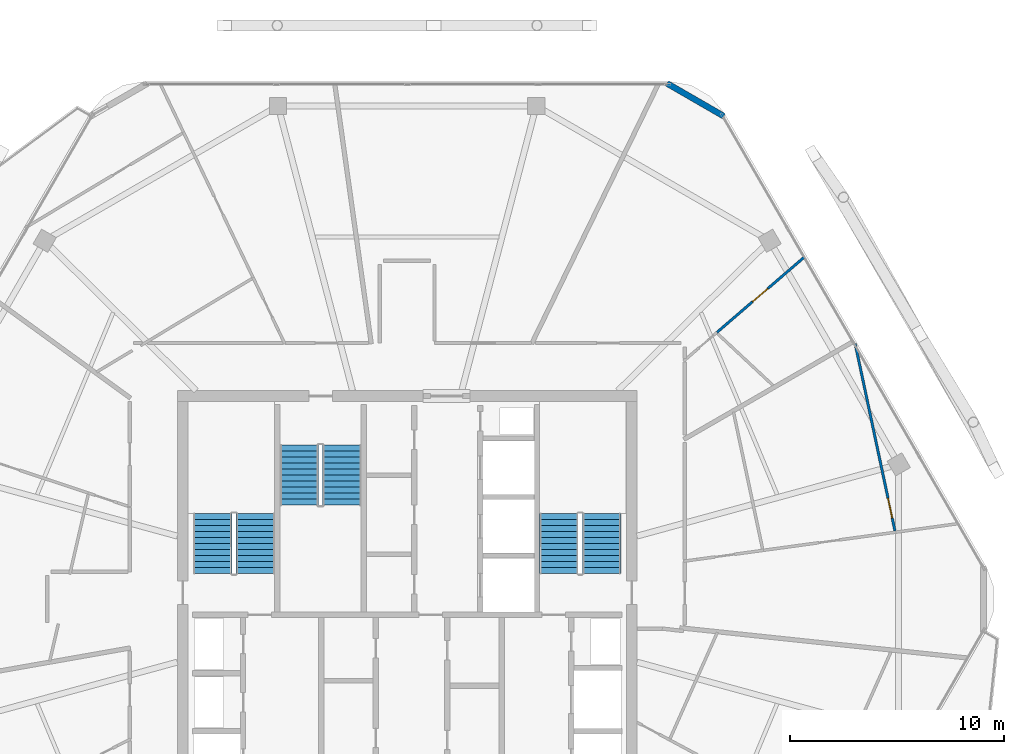
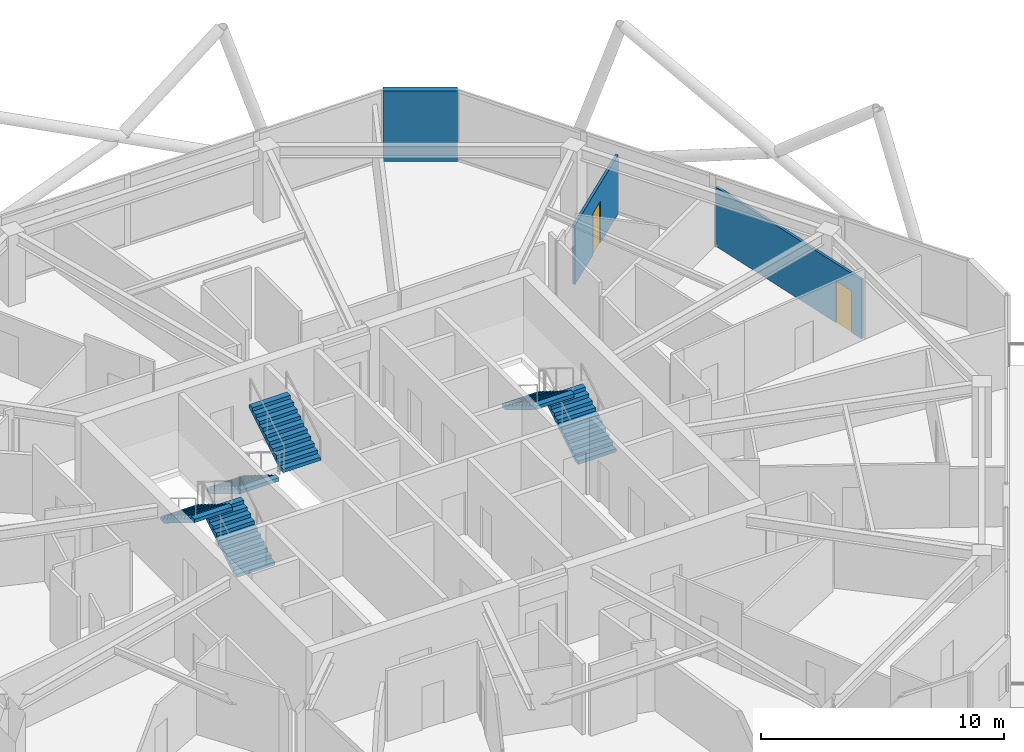
# One storey, part 20 of 23: 6 stair flights, 3 walls, 2 doors, 2 openings, 3 elements without a shape of their own.
"""IFC4 building model written with IfcOpenShell, lengths in metres."""

from ifc_helpers import new_model, si_unit, direction, frame, frame_2d, origin, place, context, subcontext, project, spatial, polyline, rectangle, outline, extrude, material, layer, layer_set, type_object, element, fill, aggregate, save


model = new_model("IFC4")

# Units and contexts
model_context = context("Model", 3, precision=1e-05, world=origin(), true_north=direction((0.0, 1.0)))
body_context = subcontext(model_context, "Body", "Model", "MODEL_VIEW")
ifc_project = project(units=[si_unit("LENGTHUNIT", "METRE"), si_unit("AREAUNIT", "SQUARE_METRE"), si_unit("VOLUMEUNIT", "CUBIC_METRE"), si_unit("PLANEANGLEUNIT", "RADIAN"), si_unit("MASSUNIT", "GRAM", prefix="KILO")], contexts=[model_context])

# Site, building, storey
site_placement = place(None, origin())
site = spatial("IfcSite", under=ifc_project, at=site_placement, CompositionType="ELEMENT")
building_placement = place(site_placement, origin())
building = spatial("IfcBuilding", under=site, at=building_placement, Name="Zuhravey Tower", CompositionType="ELEMENT")
storey_placement = place(building_placement, frame((0.0, 0.0, 315.800048828125)))
storey = spatial("IfcBuildingStorey", under=building, at=storey_placement, Name="L80", CompositionType="ELEMENT", Elevation=315.800048828125)

# Wall
ifc_material_1 = material(Name="Precast concrete C40/50", Category="concrete")
ifc_layer_1 = layer(ifc_material_1, 0.280029296875)
ifc_layer_set_1 = layer_set([ifc_layer_1], Name="Precast concrete C40/50")
wall_type_1 = type_object("IfcWallType", Name="Crown Architectural Wall 280", PredefinedType="SOLIDWALL", material=ifc_layer_set_1)
wall_1_placement = place(storey_placement, frame((48.156982421875, 56.12158203125, 0.0), z_axis=(0.0, 0.0, 1.0), x_axis=(0.866023752521, -0.50000286006, 0.0)))
element("IfcWall", 1, at=wall_1_placement, inside=storey, type_object=wall_type_1, Name="L80 Rounded Corner Closure Wall EW28-10", PredefinedType="SOLIDWALL", context=body_context, shape_type="SweptSolid", body=[
    extrude(rectangle(XDim=3.06494140625, YDim=0.280029296875, at=frame_2d((1.532470703125, 0.0))), origin(), (0.0, 0.0, 1.0), 3.550048828125),
])

# Wall, opening, door
ifc_material_2 = material(Name="Gypsum metal-stud partition")
ifc_layer_2 = layer(ifc_material_2, 0.1201171875)
ifc_layer_set_2 = layer_set([ifc_layer_2], Name="Gypsum metal-stud partition")
wall_type_2 = type_object("IfcWallType", Name="Unit Internal Partition 120", PredefinedType="PARTITIONING", material=ifc_layer_set_2)
wall_2_placement = place(storey_placement, frame((58.816650390625, 35.194091796875, 0.0), z_axis=(0.0, 0.0, 1.0), x_axis=(-0.20790706988, 0.978148582933, 0.0)))
wall_2 = element("IfcWall", 2, at=wall_2_placement, inside=storey, type_object=wall_type_2, Name="L80 IW12 Partition 046", PredefinedType="PARTITIONING", context=body_context, shape_type="SweptSolid", body=[
    extrude(rectangle(XDim=8.944580078125, YDim=0.1201171875, at=frame_2d((4.47216796875, 0.0))), origin(), (0.0, 0.0, 1.0), 2.969970703125),
])
opening_1_placement = place(wall_2_placement, frame((0.613037109375, 0.0, 0.0)))
opening_1 = element("IfcOpeningElement", 3, at=opening_1_placement, cuts=wall_2, Name="Opening IND1", PredefinedType="OPENING", context=body_context, shape_type="SweptSolid", body=[
    extrude(rectangle(XDim=0.949951171875, YDim=2.10009765625, at=frame_2d((0.47509765625, 1.050048828125))), frame((0.0, 0.072021484375, 0.0), z_axis=(0.0, -1.0, 0.0), x_axis=(1.0, 0.0, 0.0)), (0.0, 0.0, 1.0), 0.14404296875),
])
ifc_material_3 = material(Name="Painted engineered timber leaf", Category="wood")
door_type = type_object("IfcDoorType", Name="Internal Room & Bedroom Door 950x2100", OperationType="NOTDEFINED", PredefinedType="DOOR", material=ifc_material_3)
door_1_placement = place(opening_1_placement, frame((0.949951171875, 0.0, 0.0), z_axis=(0.0, 0.0, 1.0), x_axis=(-1.0, 0.0, 0.0)))
door_1 = element("IfcDoor", 4, at=door_1_placement, inside=storey, type_object=door_type, Name="Apartment L80-07 Bedroom 1 Door", OperationType="SINGLE_SWING_LEFT", OverallHeight=2.10009765625, OverallWidth=0.949951171875, PredefinedType="DOOR", context=body_context, shape_type="SweptSolid", body=[
    extrude(rectangle(XDim=0.949951171875, YDim=2.10009765625, at=frame_2d((0.47509765625, 1.050048828125))), frame((0.0, 0.02490234375, 0.0), z_axis=(0.0, -1.0, 0.0), x_axis=(1.0, 0.0, 0.0)), (0.0, 0.0, 1.0), 0.050048828125),
])
fill(opening_1, door_1)

wall_3_placement = place(storey_placement, frame((50.490234375, 44.476806640625, 0.0), z_axis=(0.0, 0.0, 1.0), x_axis=(0.757798689284, 0.65248842635, 0.0)))
wall_3 = element("IfcWall", 5, at=wall_3_placement, inside=storey, type_object=wall_type_2, Name="L80 IW12 Partition 049", PredefinedType="PARTITIONING", context=body_context, shape_type="SweptSolid", body=[
    extrude(rectangle(XDim=5.385498046875, YDim=0.1201171875, at=frame_2d((2.69287109375, 0.0))), origin(), (0.0, 0.0, 1.0), 2.969970703125),
])
opening_2_placement = place(wall_3_placement, frame((2.192626953125, 0.0, 0.0)))
opening_2 = element("IfcOpeningElement", 6, at=opening_2_placement, cuts=wall_3, Name="Opening IND1", PredefinedType="OPENING", context=body_context, shape_type="SweptSolid", body=[
    extrude(rectangle(XDim=0.949951171875, YDim=2.10009765625, at=frame_2d((0.47509765625, 1.050048828125))), frame((0.0, 0.072021484375, 0.0), z_axis=(0.0, -1.0, 0.0), x_axis=(1.0, 0.0, 0.0)), (0.0, 0.0, 1.0), 0.14404296875),
])
door_2_placement = place(opening_2_placement, frame((0.949951171875, 0.0, 0.0), z_axis=(0.0, 0.0, 1.0), x_axis=(-1.0, 0.0, 0.0)))
door_2 = element("IfcDoor", 7, at=door_2_placement, inside=storey, type_object=door_type, Name="Apartment L80-08 Bedroom 1 Door", OperationType="SINGLE_SWING_RIGHT", OverallHeight=2.10009765625, OverallWidth=0.949951171875, PredefinedType="DOOR", context=body_context, shape_type="SweptSolid", body=[
    extrude(rectangle(XDim=0.949951171875, YDim=2.10009765625, at=frame_2d((0.47509765625, 1.050048828125))), frame((0.0, 0.02490234375, 0.0), z_axis=(0.0, -1.0, 0.0), x_axis=(1.0, 0.0, 0.0)), (0.0, 0.0, 1.0), 0.050048828125),
])
fill(opening_2, door_2)

# Stair, stair flights
ifc_material_4 = material(Name="Concrete C40/50", Category="concrete")
stair_type = type_object("IfcStairType", Name="Housing Storey Stair Assembly 3800", PredefinedType="HALF_TURN_STAIR", material=ifc_material_4)
stair_1_placement = place(storey_placement, origin())
stair_1 = element("IfcStair", 8, at=stair_1_placement, inside=storey, type_object=stair_type, Name="L80 Core Exit Stair ST1", PredefinedType="HALF_TURN_STAIR")
stair_flight_type = type_object("IfcStairFlightType", Name="Housing Storey Stair Flight 3800", PredefinedType="STRAIGHT", material=ifc_material_4)
stair_flight_1_placement = place(storey_placement, frame((28.89990234375, 33.199951171875, 0.0), z_axis=(0.0, 0.0, 1.0), x_axis=(0.0, 1.0, 0.0)))
stair_flight_1 = element("IfcStairFlight", 9, at=stair_flight_1_placement, type_object=stair_flight_type, Name="ST1 flight 1", NumberOfRisers=11, NumberOfTreads=10, PredefinedType="STRAIGHT", RiserHeight=0.172727273, TreadLength=0.28, context=body_context, shape_type="SweptSolid", body=[
    extrude(outline(polyline([(0.0, 0.0), (0.0, 0.172607421875), (0.280029296875, 0.172607421875), (0.280029296875, 0.345458984375), (0.56005859375, 0.345458984375), (0.56005859375, 0.51806640625), (0.840087890625, 0.51806640625), (0.840087890625, 0.69091796875), (1.1201171875, 0.69091796875), (1.1201171875, 0.863525390625), (1.39990234375, 0.863525390625), (1.39990234375, 1.036376953125), (1.679931640625, 1.036376953125), (1.679931640625, 1.208984375), (1.9599609375, 1.208984375), (1.9599609375, 1.3818359375), (2.239990234375, 1.3818359375), (2.239990234375, 1.554443359375), (2.52001953125, 1.554443359375), (2.52001953125, 1.727294921875), (2.800048828125, 1.727294921875), (2.800048828125, 1.89990234375), (2.800048828125, 1.551025390625), (0.285400390625, 0.0), (0.0, 0.0)])), frame((0.0, 0.89990234375, 0.0), z_axis=(0.0, -1.0, 0.0), x_axis=(1.0, 0.0, 0.0)), (0.0, 0.0, 1.0), 1.800048828125),
])
stair_flight_2_placement = place(storey_placement, frame((26.89990234375, 36.0, 1.89990234375), z_axis=(0.0, 0.0, 1.0), x_axis=(0.0, -1.0, 0.0)))
stair_flight_2 = element("IfcStairFlight", 10, at=stair_flight_2_placement, type_object=stair_flight_type, Name="ST1 flight 2", NumberOfRisers=11, NumberOfTreads=10, PredefinedType="STRAIGHT", RiserHeight=0.172727273, TreadLength=0.28, context=body_context, shape_type="SweptSolid", body=[
    extrude(outline(polyline([(0.0, 0.0), (0.0, 0.172607421875), (0.280029296875, 0.172607421875), (0.280029296875, 0.345458984375), (0.56005859375, 0.345458984375), (0.56005859375, 0.51806640625), (0.840087890625, 0.51806640625), (0.840087890625, 0.69091796875), (1.1201171875, 0.69091796875), (1.1201171875, 0.863525390625), (1.39990234375, 0.863525390625), (1.39990234375, 1.036376953125), (1.679931640625, 1.036376953125), (1.679931640625, 1.208984375), (1.9599609375, 1.208984375), (1.9599609375, 1.3818359375), (2.239990234375, 1.3818359375), (2.239990234375, 1.554443359375), (2.52001953125, 1.554443359375), (2.52001953125, 1.727294921875), (2.800048828125, 1.727294921875), (2.800048828125, 1.89990234375), (2.800048828125, 1.551025390625), (0.285400390625, 0.0), (0.0, 0.0)])), frame((0.0, 0.89990234375, 0.0), z_axis=(0.0, -1.0, 0.0), x_axis=(1.0, 0.0, 0.0)), (0.0, 0.0, 1.0), 1.800048828125),
])
aggregate(stair_1, [stair_flight_1, stair_flight_2])

stair_2_placement = place(storey_placement, origin())
stair_2 = element("IfcStair", 11, at=stair_2_placement, inside=storey, type_object=stair_type, Name="L80 Core Exit Stair ST2", PredefinedType="HALF_TURN_STAIR")
stair_flight_3_placement = place(storey_placement, frame((45.10009765625, 33.199951171875, 0.0), z_axis=(0.0, 0.0, 1.0), x_axis=(0.0, 1.0, 0.0)))
stair_flight_3 = element("IfcStairFlight", 12, at=stair_flight_3_placement, type_object=stair_flight_type, Name="ST2 flight 1", NumberOfRisers=11, NumberOfTreads=10, PredefinedType="STRAIGHT", RiserHeight=0.172727273, TreadLength=0.28, context=body_context, shape_type="SweptSolid", body=[
    extrude(outline(polyline([(0.0, 0.0), (0.0, 0.172607421875), (0.280029296875, 0.172607421875), (0.280029296875, 0.345458984375), (0.56005859375, 0.345458984375), (0.56005859375, 0.51806640625), (0.840087890625, 0.51806640625), (0.840087890625, 0.69091796875), (1.1201171875, 0.69091796875), (1.1201171875, 0.863525390625), (1.39990234375, 0.863525390625), (1.39990234375, 1.036376953125), (1.679931640625, 1.036376953125), (1.679931640625, 1.208984375), (1.9599609375, 1.208984375), (1.9599609375, 1.3818359375), (2.239990234375, 1.3818359375), (2.239990234375, 1.554443359375), (2.52001953125, 1.554443359375), (2.52001953125, 1.727294921875), (2.800048828125, 1.727294921875), (2.800048828125, 1.89990234375), (2.800048828125, 1.551025390625), (0.285400390625, 0.0), (0.0, 0.0)])), frame((0.0, 0.89990234375, 0.0), z_axis=(0.0, -1.0, 0.0), x_axis=(1.0, 0.0, 0.0)), (0.0, 0.0, 1.0), 1.800048828125),
])
stair_flight_4_placement = place(storey_placement, frame((43.10009765625, 36.0, 1.89990234375), z_axis=(0.0, 0.0, 1.0), x_axis=(0.0, -1.0, 0.0)))
stair_flight_4 = element("IfcStairFlight", 13, at=stair_flight_4_placement, type_object=stair_flight_type, Name="ST2 flight 2", NumberOfRisers=11, NumberOfTreads=10, PredefinedType="STRAIGHT", RiserHeight=0.172727273, TreadLength=0.28, context=body_context, shape_type="SweptSolid", body=[
    extrude(outline(polyline([(0.0, 0.0), (0.0, 0.172607421875), (0.280029296875, 0.172607421875), (0.280029296875, 0.345458984375), (0.56005859375, 0.345458984375), (0.56005859375, 0.51806640625), (0.840087890625, 0.51806640625), (0.840087890625, 0.69091796875), (1.1201171875, 0.69091796875), (1.1201171875, 0.863525390625), (1.39990234375, 0.863525390625), (1.39990234375, 1.036376953125), (1.679931640625, 1.036376953125), (1.679931640625, 1.208984375), (1.9599609375, 1.208984375), (1.9599609375, 1.3818359375), (2.239990234375, 1.3818359375), (2.239990234375, 1.554443359375), (2.52001953125, 1.554443359375), (2.52001953125, 1.727294921875), (2.800048828125, 1.727294921875), (2.800048828125, 1.89990234375), (2.800048828125, 1.551025390625), (0.285400390625, 0.0), (0.0, 0.0)])), frame((0.0, 0.89990234375, 0.0), z_axis=(0.0, -1.0, 0.0), x_axis=(1.0, 0.0, 0.0)), (0.0, 0.0, 1.0), 1.800048828125),
])
aggregate(stair_2, [stair_flight_3, stair_flight_4])

stair_3_placement = place(storey_placement, origin())
stair_3 = element("IfcStair", 14, at=stair_3_placement, inside=storey, type_object=stair_type, Name="L80 Core Exit Stair ST3", PredefinedType="HALF_TURN_STAIR")
stair_flight_5_placement = place(storey_placement, frame((30.949951171875, 39.199951171875, 0.0), z_axis=(0.0, 0.0, 1.0), x_axis=(0.0, -1.0, 0.0)))
stair_flight_5 = element("IfcStairFlight", 15, at=stair_flight_5_placement, type_object=stair_flight_type, Name="ST3 flight 1", NumberOfRisers=11, NumberOfTreads=10, PredefinedType="STRAIGHT", RiserHeight=0.172727273, TreadLength=0.28, context=body_context, shape_type="SweptSolid", body=[
    extrude(outline(polyline([(0.0, 0.0), (0.0, 0.172607421875), (0.280029296875, 0.172607421875), (0.280029296875, 0.345458984375), (0.56005859375, 0.345458984375), (0.56005859375, 0.51806640625), (0.840087890625, 0.51806640625), (0.840087890625, 0.69091796875), (1.1201171875, 0.69091796875), (1.1201171875, 0.863525390625), (1.39990234375, 0.863525390625), (1.39990234375, 1.036376953125), (1.679931640625, 1.036376953125), (1.679931640625, 1.208984375), (1.9599609375, 1.208984375), (1.9599609375, 1.3818359375), (2.239990234375, 1.3818359375), (2.239990234375, 1.554443359375), (2.52001953125, 1.554443359375), (2.52001953125, 1.727294921875), (2.800048828125, 1.727294921875), (2.800048828125, 1.89990234375), (2.800048828125, 1.551025390625), (0.285400390625, 0.0), (0.0, 0.0)])), frame((0.0, 0.89990234375, 0.0), z_axis=(0.0, -1.0, 0.0), x_axis=(1.0, 0.0, 0.0)), (0.0, 0.0, 1.0), 1.800048828125),
])
stair_flight_6_placement = place(storey_placement, frame((32.949951171875, 36.39990234375, 1.89990234375), z_axis=(0.0, 0.0, 1.0), x_axis=(0.0, 1.0, 0.0)))
stair_flight_6 = element("IfcStairFlight", 16, at=stair_flight_6_placement, type_object=stair_flight_type, Name="ST3 flight 2", NumberOfRisers=11, NumberOfTreads=10, PredefinedType="STRAIGHT", RiserHeight=0.172727273, TreadLength=0.28, context=body_context, shape_type="SweptSolid", body=[
    extrude(outline(polyline([(0.0, 0.0), (0.0, 0.172607421875), (0.280029296875, 0.172607421875), (0.280029296875, 0.345458984375), (0.56005859375, 0.345458984375), (0.56005859375, 0.51806640625), (0.840087890625, 0.51806640625), (0.840087890625, 0.69091796875), (1.1201171875, 0.69091796875), (1.1201171875, 0.863525390625), (1.39990234375, 0.863525390625), (1.39990234375, 1.036376953125), (1.679931640625, 1.036376953125), (1.679931640625, 1.208984375), (1.9599609375, 1.208984375), (1.9599609375, 1.3818359375), (2.239990234375, 1.3818359375), (2.239990234375, 1.554443359375), (2.52001953125, 1.554443359375), (2.52001953125, 1.727294921875), (2.800048828125, 1.727294921875), (2.800048828125, 1.89990234375), (2.800048828125, 1.551025390625), (0.285400390625, 0.0), (0.0, 0.0)])), frame((0.0, 0.89990234375, 0.0), z_axis=(0.0, -1.0, 0.0), x_axis=(1.0, 0.0, 0.0)), (0.0, 0.0, 1.0), 1.800048828125),
])
aggregate(stair_3, [stair_flight_5, stair_flight_6])

save(model, "model.ifc")
